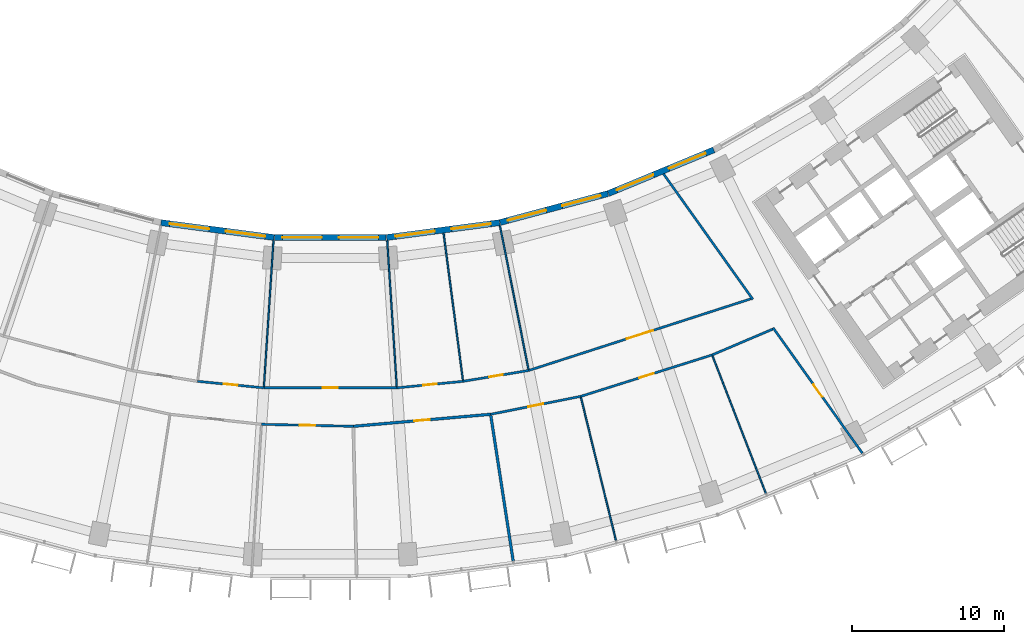
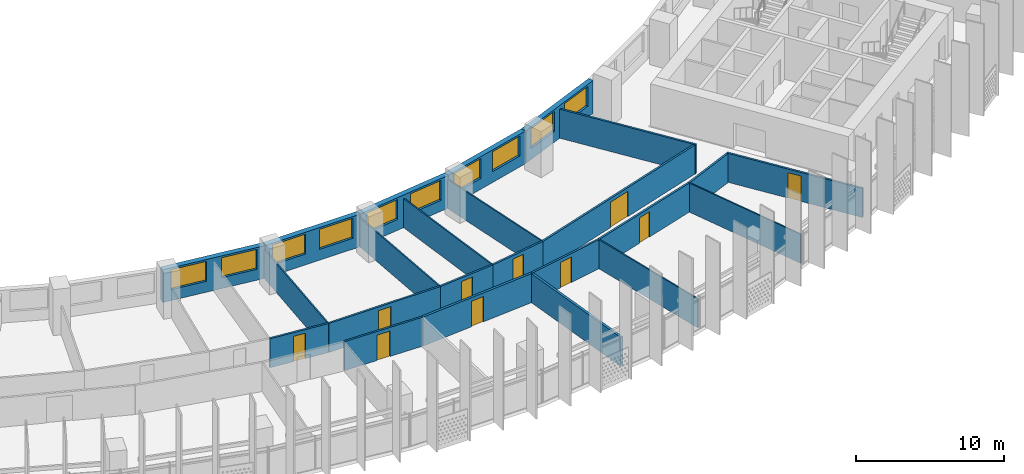
# One storey, part 6 of 30: 24 walls, 10 doors, 10 windows, 20 openings.
"""IFC4 building model written with IfcOpenShell, lengths in metres."""

from ifc_helpers import new_model, si_unit, direction, frame, frame_2d, origin, place, context, subcontext, project, spatial, rectangle, extrude, material, layer, layer_set, type_object, element, fill, save


model = new_model("IFC4")

# Units and contexts
model_context = context("Model", 3, precision=1e-05, world=origin(), true_north=direction((0.0, 1.0)))
body_context = subcontext(model_context, "Body", "Model", "MODEL_VIEW")
ifc_project = project(units=[si_unit("LENGTHUNIT", "METRE"), si_unit("AREAUNIT", "SQUARE_METRE"), si_unit("VOLUMEUNIT", "CUBIC_METRE"), si_unit("PLANEANGLEUNIT", "RADIAN"), si_unit("MASSUNIT", "GRAM", prefix="KILO")], contexts=[model_context])

# Site, building, storey
site_placement = place(None, origin())
site = spatial("IfcSite", under=ifc_project, at=site_placement, CompositionType="ELEMENT")
building_placement = place(site_placement, origin())
building = spatial("IfcBuilding", under=site, at=building_placement, Name="Qamariyya Broadcast Tower", CompositionType="ELEMENT")
storey_placement = place(building_placement, frame((0.0, 0.0, 110.10009765625)))
storey = spatial("IfcBuildingStorey", under=building, at=storey_placement, Name="L24", CompositionType="ELEMENT", Elevation=110.10009765625)

# Wall, opening, door
ifc_material_1 = material(Name="Gypsum board partition")
ifc_layer_1 = layer(ifc_material_1, 0.14990234375)
ifc_layer_set_1 = layer_set([ifc_layer_1], Name="Corridor partition 150 EI 60")
wall_type_1 = type_object("IfcWallType", Name="Corridor partition 150 EI 60", PredefinedType="PARTITIONING", material=ifc_layer_set_1)
wall_1_placement = place(storey_placement, frame((-8.71923828125, -66.228515625, 0.0), z_axis=(0.0, 0.0, 1.0), x_axis=(0.995184826457, -0.098016127192, 0.0)))
wall_1 = element("IfcWall", 1, at=wall_1_placement, inside=storey, type_object=wall_type_1, Name="Partition L24-019", PredefinedType="PARTITIONING", context=body_context, shape_type="SweptSolid", body=[
    extrude(rectangle(XDim=4.371337890625, YDim=0.14990234375, at=frame_2d((2.185546875, 0.0))), origin(), (0.0, 0.0, 1.0), 2.39990234375),
])
opening_1_placement = place(wall_1_placement, frame((1.735595703125, 0.0, 0.0)))
opening_1 = element("IfcOpeningElement", 2, at=opening_1_placement, cuts=wall_1, Name="Opening L24-D11", PredefinedType="OPENING", context=body_context, shape_type="SweptSolid", body=[
    extrude(rectangle(XDim=0.89990234375, YDim=2.10009765625, at=frame_2d((0.449951171875, 1.050048828125))), frame((0.0, 0.0849609375, 0.0), z_axis=(0.0, -1.0, 0.0), x_axis=(1.0, 0.0, 0.0)), (0.0, 0.0, 1.0), 0.169921875),
])
ifc_material_2 = material(Name="Timber fire door leaf", Category="wood")
door_type_1 = type_object("IfcDoorType", Name="Fire door 900 x 2100 FD60", OperationType="NOTDEFINED", PredefinedType="DOOR", material=ifc_material_2)
door_1_placement = place(opening_1_placement, origin())
door_1 = element("IfcDoor", 3, at=door_1_placement, inside=storey, type_object=door_type_1, Name="Door L24-D11", OperationType="SINGLE_SWING_RIGHT", OverallHeight=2.10009765625, OverallWidth=0.89990234375, PredefinedType="DOOR", context=body_context, shape_type="SweptSolid", body=[
    extrude(rectangle(XDim=0.89990234375, YDim=2.10009765625, at=frame_2d((0.449951171875, 1.050048828125))), frame((0.0, 0.02490234375, 0.0), z_axis=(0.0, -1.0, 0.0), x_axis=(1.0, 0.0, 0.0)), (0.0, 0.0, 1.0), 0.050048828125),
])
fill(opening_1, door_1)

wall_2_placement = place(storey_placement, frame((1.511474609375, -69.18359375, 0.0), z_axis=(0.0, 0.0, 1.0), x_axis=(-0.999761664283, 0.021831505468, 0.0)))
wall_2 = element("IfcWall", 4, at=wall_2_placement, inside=storey, type_object=wall_type_1, Name="Partition L24-022", PredefinedType="PARTITIONING", context=body_context, shape_type="SweptSolid", body=[
    extrude(rectangle(XDim=6.038818359375, YDim=0.14990234375, at=frame_2d((3.01953125, 0.0))), origin(), (0.0, 0.0, 1.0), 2.39990234375),
])
opening_2_placement = place(wall_2_placement, frame((2.51953125, 0.0, 0.0)))
opening_2 = element("IfcOpeningElement", 5, at=opening_2_placement, cuts=wall_2, Name="Opening L24-D03", PredefinedType="OPENING", context=body_context, shape_type="SweptSolid", body=[
    extrude(rectangle(XDim=1.0, YDim=2.10009765625, at=frame_2d((0.5, 1.050048828125))), frame((0.0, 0.0849609375, 0.0), z_axis=(0.0, -1.0, 0.0), x_axis=(1.0, 0.0, 0.0)), (0.0, 0.0, 1.0), 0.169921875),
])
door_type_2 = type_object("IfcDoorType", Name="Fire door 1000 x 2100 FD60", OperationType="NOTDEFINED", PredefinedType="DOOR", material=ifc_material_2)
door_2_placement = place(opening_2_placement, origin())
door_2 = element("IfcDoor", 6, at=door_2_placement, inside=storey, type_object=door_type_2, Name="Door L24-D03", OperationType="SINGLE_SWING_RIGHT", OverallHeight=2.10009765625, OverallWidth=1.0, PredefinedType="DOOR", context=body_context, shape_type="SweptSolid", body=[
    extrude(rectangle(XDim=1.0, YDim=2.10009765625, at=frame_2d((0.5, 1.050048828125))), frame((0.0, 0.02490234375, 0.0), z_axis=(0.0, -1.0, 0.0), x_axis=(1.0, 0.0, 0.0)), (0.0, 0.0, 1.0), 0.050048828125),
])
fill(opening_2, door_2)

wall_3_placement = place(storey_placement, frame((-4.368896484375, -66.656982421875, 0.0), z_axis=(0.0, 0.0, 1.0), x_axis=(1.0, 0.0, 0.0)))
wall_3 = element("IfcWall", 7, at=wall_3_placement, inside=storey, type_object=wall_type_1, Name="Partition L24-023", PredefinedType="PARTITIONING", context=body_context, shape_type="SweptSolid", body=[
    extrude(rectangle(XDim=8.73779296875, YDim=0.14990234375, at=frame_2d((4.368896484375, 0.0))), origin(), (0.0, 0.0, 1.0), 2.39990234375),
])
opening_3_placement = place(wall_3_placement, frame((3.868896484375, 0.0, 0.0)))
opening_3 = element("IfcOpeningElement", 8, at=opening_3_placement, cuts=wall_3, Name="Opening L24-D12", PredefinedType="OPENING", context=body_context, shape_type="SweptSolid", body=[
    extrude(rectangle(XDim=1.0, YDim=2.10009765625, at=frame_2d((0.5, 1.050048828125))), frame((0.0, 0.0849609375, 0.0), z_axis=(0.0, -1.0, 0.0), x_axis=(1.0, 0.0, 0.0)), (0.0, 0.0, 1.0), 0.169921875),
])
door_3_placement = place(opening_3_placement, origin())
door_3 = element("IfcDoor", 9, at=door_3_placement, inside=storey, type_object=door_type_2, Name="Door L24-D12", OperationType="SINGLE_SWING_RIGHT", OverallHeight=2.10009765625, OverallWidth=1.0, PredefinedType="DOOR", context=body_context, shape_type="SweptSolid", body=[
    extrude(rectangle(XDim=1.0, YDim=2.10009765625, at=frame_2d((0.5, 1.050048828125))), frame((0.0, 0.02490234375, 0.0), z_axis=(0.0, -1.0, 0.0), x_axis=(1.0, 0.0, 0.0)), (0.0, 0.0, 1.0), 0.050048828125),
])
fill(opening_3, door_3)

wall_4_placement = place(storey_placement, frame((4.368896484375, -66.656982421875, 0.0), z_axis=(0.0, 0.0, 1.0), x_axis=(0.995184826457, 0.098016127192, 0.0)))
wall_4 = element("IfcWall", 10, at=wall_4_placement, inside=storey, type_object=wall_type_1, Name="Partition L24-028", PredefinedType="PARTITIONING", context=body_context, shape_type="SweptSolid", body=[
    extrude(rectangle(XDim=4.371337890625, YDim=0.14990234375, at=frame_2d((2.185546875, 0.0))), origin(), (0.0, 0.0, 1.0), 2.39990234375),
])
opening_4_placement = place(wall_4_placement, frame((1.735595703125, 0.0, 0.0)))
opening_4 = element("IfcOpeningElement", 11, at=opening_4_placement, cuts=wall_4, Name="Opening L24-D13", PredefinedType="OPENING", context=body_context, shape_type="SweptSolid", body=[
    extrude(rectangle(XDim=0.89990234375, YDim=2.10009765625, at=frame_2d((0.449951171875, 1.050048828125))), frame((0.0, 0.0849609375, 0.0), z_axis=(0.0, -1.0, 0.0), x_axis=(1.0, 0.0, 0.0)), (0.0, 0.0, 1.0), 0.169921875),
])
door_4_placement = place(opening_4_placement, origin())
door_4 = element("IfcDoor", 12, at=door_4_placement, inside=storey, type_object=door_type_1, Name="Door L24-D13", OperationType="SINGLE_SWING_RIGHT", OverallHeight=2.10009765625, OverallWidth=0.89990234375, PredefinedType="DOOR", context=body_context, shape_type="SweptSolid", body=[
    extrude(rectangle(XDim=0.89990234375, YDim=2.10009765625, at=frame_2d((0.449951171875, 1.050048828125))), frame((0.0, 0.02490234375, 0.0), z_axis=(0.0, -1.0, 0.0), x_axis=(1.0, 0.0, 0.0)), (0.0, 0.0, 1.0), 0.050048828125),
])
fill(opening_4, door_4)

wall_5_placement = place(storey_placement, frame((8.71923828125, -66.228515625, 0.0), z_axis=(0.0, 0.0, 1.0), x_axis=(0.986638873051, 0.162922479065, 0.0)))
wall_5 = element("IfcWall", 13, at=wall_5_placement, inside=storey, type_object=wall_type_1, Name="Partition L24-030", PredefinedType="PARTITIONING", context=body_context, shape_type="SweptSolid", body=[
    extrude(rectangle(XDim=4.37109375, YDim=0.14990234375, at=frame_2d((2.185546875, 0.0))), origin(), (0.0, 0.0, 1.0), 2.39990234375),
])
opening_5_placement = place(wall_5_placement, frame((1.735595703125, 0.0, 0.0)))
opening_5 = element("IfcOpeningElement", 14, at=opening_5_placement, cuts=wall_5, Name="Opening L24-D14", PredefinedType="OPENING", context=body_context, shape_type="SweptSolid", body=[
    extrude(rectangle(XDim=0.89990234375, YDim=2.10009765625, at=frame_2d((0.449951171875, 1.050048828125))), frame((0.0, 0.0849609375, 0.0), z_axis=(0.0, -1.0, 0.0), x_axis=(1.0, 0.0, 0.0)), (0.0, 0.0, 1.0), 0.169921875),
])
door_5_placement = place(opening_5_placement, origin())
door_5 = element("IfcDoor", 15, at=door_5_placement, inside=storey, type_object=door_type_1, Name="Door L24-D14", OperationType="SINGLE_SWING_RIGHT", OverallHeight=2.10009765625, OverallWidth=0.89990234375, PredefinedType="DOOR", context=body_context, shape_type="SweptSolid", body=[
    extrude(rectangle(XDim=0.89990234375, YDim=2.10009765625, at=frame_2d((0.449951171875, 1.050048828125))), frame((0.0, 0.02490234375, 0.0), z_axis=(0.0, -1.0, 0.0), x_axis=(1.0, 0.0, 0.0)), (0.0, 0.0, 1.0), 0.050048828125),
])
fill(opening_5, door_5)

wall_6_placement = place(storey_placement, frame((16.446044921875, -67.21728515625, 0.0), z_axis=(0.0, 0.0, 1.0), x_axis=(-0.980785582749, -0.195088802015, 0.0)))
wall_6 = element("IfcWall", 16, at=wall_6_placement, inside=storey, type_object=wall_type_1, Name="Partition L24-031", PredefinedType="PARTITIONING", context=body_context, shape_type="SweptSolid", body=[
    extrude(rectangle(XDim=6.033203125, YDim=0.14990234375, at=frame_2d((3.0166015625, 0.0))), origin(), (0.0, 0.0, 1.0), 2.39990234375),
])
opening_6_placement = place(wall_6_placement, frame((2.5166015625, 0.0, 0.0)))
opening_6 = element("IfcOpeningElement", 17, at=opening_6_placement, cuts=wall_6, Name="Opening L24-D05", PredefinedType="OPENING", context=body_context, shape_type="SweptSolid", body=[
    extrude(rectangle(XDim=1.0, YDim=2.10009765625, at=frame_2d((0.5, 1.050048828125))), frame((0.0, 0.0849609375, 0.0), z_axis=(0.0, -1.0, 0.0), x_axis=(1.0, 0.0, 0.0)), (0.0, 0.0, 1.0), 0.169921875),
])
door_6_placement = place(opening_6_placement, origin())
door_6 = element("IfcDoor", 18, at=door_6_placement, inside=storey, type_object=door_type_2, Name="Door L24-D05", OperationType="SINGLE_SWING_RIGHT", OverallHeight=2.10009765625, OverallWidth=1.0, PredefinedType="DOOR", context=body_context, shape_type="SweptSolid", body=[
    extrude(rectangle(XDim=1.0, YDim=2.10009765625, at=frame_2d((0.5, 1.050048828125))), frame((0.0, 0.02490234375, 0.0), z_axis=(0.0, -1.0, 0.0), x_axis=(1.0, 0.0, 0.0)), (0.0, 0.0, 1.0), 0.050048828125),
])
fill(opening_6, door_6)

wall_7_placement = place(storey_placement, frame((13.031982421875, -65.516357421875, 0.0), z_axis=(0.0, 0.0, 1.0), x_axis=(0.951705469381, 0.307012539729, 0.0)))
wall_7 = element("IfcWall", 19, at=wall_7_placement, inside=storey, type_object=wall_type_1, Name="Partition L24-034", PredefinedType="PARTITIONING", context=body_context, shape_type="SweptSolid", body=[
    extrude(rectangle(XDim=15.348388671875, YDim=0.14990234375, at=frame_2d((7.67431640625, 0.0))), origin(), (0.0, 0.0, 1.0), 2.39990234375),
])
opening_7_placement = place(wall_7_placement, frame((6.774169921875, 0.0, 0.0)))
opening_7 = element("IfcOpeningElement", 20, at=opening_7_placement, cuts=wall_7, Name="Opening L24-D15", PredefinedType="OPENING", context=body_context, shape_type="SweptSolid", body=[
    extrude(rectangle(XDim=1.800048828125, YDim=2.10009765625, at=frame_2d((0.89990234375, 1.050048828125))), frame((0.0, 0.0849609375, 0.0), z_axis=(0.0, -1.0, 0.0), x_axis=(1.0, 0.0, 0.0)), (0.0, 0.0, 1.0), 0.169921875),
])
door_type_3 = type_object("IfcDoorType", Name="Double fire door 1800 x 2100 FD60", OperationType="NOTDEFINED", PredefinedType="DOOR", material=ifc_material_2)
door_7_placement = place(opening_7_placement, origin())
door_7 = element("IfcDoor", 21, at=door_7_placement, inside=storey, type_object=door_type_3, Name="Door L24-D15", OperationType="DOUBLE_DOOR_SINGLE_SWING", OverallHeight=2.10009765625, OverallWidth=1.800048828125, PredefinedType="DOOR", context=body_context, shape_type="SweptSolid", body=[
    extrude(rectangle(XDim=1.800048828125, YDim=2.10009765625, at=frame_2d((0.89990234375, 1.050048828125))), frame((0.0, 0.02490234375, 0.0), z_axis=(0.0, -1.0, 0.0), x_axis=(1.0, 0.0, 0.0)), (0.0, 0.0, 1.0), 0.050048828125),
])
fill(opening_7, door_7)

wall_8_placement = place(storey_placement, frame((25.078857421875, -64.49560546875, 0.0), z_axis=(0.0, 0.0, 1.0), x_axis=(-0.953724416281, -0.300682120834, 0.0)))
wall_8 = element("IfcWall", 22, at=wall_8_placement, inside=storey, type_object=wall_type_1, Name="Partition L24-035", PredefinedType="PARTITIONING", context=body_context, shape_type="SweptSolid", body=[
    extrude(rectangle(XDim=9.0517578125, YDim=0.14990234375, at=frame_2d((4.52587890625, 0.0))), origin(), (0.0, 0.0, 1.0), 2.39990234375),
])
opening_8_placement = place(wall_8_placement, frame((4.02587890625, 0.0, 0.0)))
opening_8 = element("IfcOpeningElement", 23, at=opening_8_placement, cuts=wall_8, Name="Opening L24-D06", PredefinedType="OPENING", context=body_context, shape_type="SweptSolid", body=[
    extrude(rectangle(XDim=1.0, YDim=2.10009765625, at=frame_2d((0.5, 1.050048828125))), frame((0.0, 0.0849609375, 0.0), z_axis=(0.0, -1.0, 0.0), x_axis=(1.0, 0.0, 0.0)), (0.0, 0.0, 1.0), 0.169921875),
])
door_8_placement = place(opening_8_placement, origin())
door_8 = element("IfcDoor", 24, at=door_8_placement, inside=storey, type_object=door_type_2, Name="Door L24-D06", OperationType="SINGLE_SWING_RIGHT", OverallHeight=2.10009765625, OverallWidth=1.0, PredefinedType="DOOR", context=body_context, shape_type="SweptSolid", body=[
    extrude(rectangle(XDim=1.0, YDim=2.10009765625, at=frame_2d((0.5, 1.050048828125))), frame((0.0, 0.02490234375, 0.0), z_axis=(0.0, -1.0, 0.0), x_axis=(1.0, 0.0, 0.0)), (0.0, 0.0, 1.0), 0.050048828125),
])
fill(opening_8, door_8)

# Walls
wall_9_placement = place(storey_placement, frame((21.8837890625, -52.59765625, 0.0), z_axis=(0.0, 0.0, 1.0), x_axis=(0.580016763963, -0.814604538118, 0.0)))
element("IfcWall", 25, at=wall_9_placement, inside=storey, type_object=wall_type_1, Name="Partition L24-037", PredefinedType="PARTITIONING", context=body_context, shape_type="SweptSolid", body=[
    extrude(rectangle(XDim=10.12109375, YDim=0.14990234375, at=frame_2d((5.060546875, 0.0))), origin(), (0.0, 0.0, 1.0), 2.39990234375),
])
wall_10_placement = place(storey_placement, frame((25.078857421875, -64.49560546875, 0.0), z_axis=(0.0, 0.0, 1.0), x_axis=(0.9200243558, 0.391861180438, 0.0)))
element("IfcWall", 26, at=wall_10_placement, inside=storey, type_object=wall_type_1, Name="Partition L24-038", PredefinedType="PARTITIONING", context=body_context, shape_type="SweptSolid", body=[
    extrude(rectangle(XDim=4.32568359375, YDim=0.14990234375, at=frame_2d((2.162841796875, 0.0))), origin(), (0.0, 0.0, 1.0), 2.39990234375),
])

# Wall, opening, door
wall_11_placement = place(storey_placement, frame((34.95751953125, -70.958984375, 0.0), z_axis=(0.0, 0.0, 1.0), x_axis=(-0.580031092611, 0.814594335608, 0.0)))
wall_11 = element("IfcWall", 27, at=wall_11_placement, inside=storey, type_object=wall_type_1, Name="Partition L24-040", PredefinedType="PARTITIONING", context=body_context, shape_type="SweptSolid", body=[
    extrude(rectangle(XDim=10.126220703125, YDim=0.14990234375, at=frame_2d((5.06298828125, 0.0))), origin(), (0.0, 0.0, 1.0), 2.39990234375),
])
opening_9_placement = place(wall_11_placement, frame((4.563232421875, 0.0, 0.0)))
opening_9 = element("IfcOpeningElement", 28, at=opening_9_placement, cuts=wall_11, Name="Opening L24-D07", PredefinedType="OPENING", context=body_context, shape_type="SweptSolid", body=[
    extrude(rectangle(XDim=1.0, YDim=2.10009765625, at=frame_2d((0.5, 1.050048828125))), frame((0.0, 0.0849609375, 0.0), z_axis=(0.0, -1.0, 0.0), x_axis=(1.0, 0.0, 0.0)), (0.0, 0.0, 1.0), 0.169921875),
])
door_9_placement = place(opening_9_placement, origin())
door_9 = element("IfcDoor", 29, at=door_9_placement, inside=storey, type_object=door_type_2, Name="Door L24-D07", OperationType="SINGLE_SWING_RIGHT", OverallHeight=2.10009765625, OverallWidth=1.0, PredefinedType="DOOR", context=body_context, shape_type="SweptSolid", body=[
    extrude(rectangle(XDim=1.0, YDim=2.10009765625, at=frame_2d((0.5, 1.050048828125))), frame((0.0, 0.02490234375, 0.0), z_axis=(0.0, -1.0, 0.0), x_axis=(1.0, 0.0, 0.0)), (0.0, 0.0, 1.0), 0.050048828125),
])
fill(opening_9, door_9)

# Walls
ifc_layer_2 = layer(ifc_material_1, 0.10009765625)
ifc_layer_set_2 = layer_set([ifc_layer_2], Name="Partition 100")
wall_type_2 = type_object("IfcWallType", Name="Partition 100", PredefinedType="PARTITIONING", material=ifc_layer_set_2)
for number, where, z_axis, x_axis, name in (
    (30, (-3.734619140625, -56.977783203125, 0.0), (0.0, 0.0, 1.0), (-0.065392665599, -0.997859609006, 0.0), "Partition L24-024"),
    (31, (3.734619140625, -56.977783203125, 0.0), (0.0, 0.0, 1.0), (0.065392665599, -0.997859609006, 0.0), "Partition L24-027"),
):
    element("IfcWall", number, at=place(storey_placement, frame(where, z_axis=z_axis, x_axis=x_axis)), inside=storey, type_object=wall_type_2, Name=name, PredefinedType="PARTITIONING", context=body_context, shape_type="SweptSolid", body=[
        extrude(rectangle(XDim=9.624755859375, YDim=0.10009765625, at=frame_2d((4.8125, 0.0))), origin(), (0.0, 0.0, 1.0), 2.39990234375),
    ])
wall_12_placement = place(storey_placement, frame((7.437255859375, -56.4912109375, 0.0), z_axis=(0.0, 0.0, 1.0), x_axis=(0.13053421433, -0.99144380521, 0.0)))
element("IfcWall", 32, at=wall_12_placement, inside=storey, type_object=wall_type_2, Name="Partition L24-029", PredefinedType="PARTITIONING", context=body_context, shape_type="SweptSolid", body=[
    extrude(rectangle(XDim=9.746337890625, YDim=0.10009765625, at=frame_2d((4.873046875, 0.0))), origin(), (0.0, 0.0, 1.0), 2.39990234375),
])
wall_13_placement = place(storey_placement, frame((11.1396484375, -56.0029296875, 0.0), z_axis=(0.0, 0.0, 1.0), x_axis=(0.195086769421, -0.980785987052, 0.0)))
element("IfcWall", 33, at=wall_13_placement, inside=storey, type_object=wall_type_2, Name="Partition L24-032", PredefinedType="PARTITIONING", context=body_context, shape_type="SweptSolid", body=[
    extrude(rectangle(XDim=9.624755859375, YDim=0.10009765625, at=frame_2d((4.8125, 0.0))), origin(), (0.0, 0.0, 1.0), 2.39990234375),
])
wall_14_placement = place(storey_placement, frame((18.762939453125, -76.68701171875, 0.0), z_axis=(0.0, 0.0, 1.0), x_axis=(-0.237657357205, 0.971349051869, 0.0)))
element("IfcWall", 34, at=wall_14_placement, inside=storey, type_object=wall_type_2, Name="Partition L24-036", PredefinedType="PARTITIONING", context=body_context, shape_type="SweptSolid", body=[
    extrude(rectangle(XDim=9.673828125, YDim=0.10009765625, at=frame_2d((4.8369140625, 0.0))), origin(), (0.0, 0.0, 1.0), 2.39990234375),
])
wall_15_placement = place(storey_placement, frame((28.612060546875, -73.58203125, 0.0), z_axis=(0.0, 0.0, 1.0), x_axis=(-0.362392675792, 0.93202550852, 0.0)))
element("IfcWall", 35, at=wall_15_placement, inside=storey, type_object=wall_type_2, Name="Partition L24-039", PredefinedType="PARTITIONING", context=body_context, shape_type="SweptSolid", body=[
    extrude(rectangle(XDim=9.67431640625, YDim=0.10009765625, at=frame_2d((4.837158203125, 0.0))), origin(), (0.0, 0.0, 1.0), 2.39990234375),
])

# Wall, opening, door
ifc_layer_3 = layer(ifc_material_1, 0.179931640625)
ifc_layer_set_3 = layer_set([ifc_layer_3], Name="Studio acoustic partition 180 EI 60")
wall_type_3 = type_object("IfcWallType", Name="Studio acoustic partition 180 EI 60", PredefinedType="PARTITIONING", material=ifc_layer_set_3)
wall_16_placement = place(storey_placement, frame((10.52880859375, -68.394287109375, 0.0), z_axis=(0.0, 0.0, 1.0), x_axis=(-0.996190935779, -0.087198735491, 0.0)))
wall_16 = element("IfcWall", 36, at=wall_16_placement, inside=storey, type_object=wall_type_3, Name="Partition L24-025", PredefinedType="PARTITIONING", context=body_context, shape_type="SweptSolid", body=[
    extrude(rectangle(XDim=9.0517578125, YDim=0.179931640625, at=frame_2d((4.52587890625, 0.0))), origin(), (0.0, 0.0, 1.0), 2.39990234375),
])
opening_10_placement = place(wall_16_placement, frame((4.02587890625, 0.0, 0.0)))
opening_10 = element("IfcOpeningElement", 37, at=opening_10_placement, cuts=wall_16, Name="Opening L24-D04", PredefinedType="OPENING", context=body_context, shape_type="SweptSolid", body=[
    extrude(rectangle(XDim=1.0, YDim=2.10009765625, at=frame_2d((0.5, 1.050048828125))), frame((0.0, 0.099853515625, 0.0), z_axis=(0.0, -1.0, 0.0), x_axis=(1.0, 0.0, 0.0)), (0.0, 0.0, 1.0), 0.199951171875),
])
door_10_placement = place(opening_10_placement, origin())
door_10 = element("IfcDoor", 38, at=door_10_placement, inside=storey, type_object=door_type_2, Name="Door L24-D04", OperationType="SINGLE_SWING_RIGHT", OverallHeight=2.10009765625, OverallWidth=1.0, PredefinedType="DOOR", context=body_context, shape_type="SweptSolid", body=[
    extrude(rectangle(XDim=1.0, YDim=2.10009765625, at=frame_2d((0.5, 1.050048828125))), frame((0.0, 0.02490234375, 0.0), z_axis=(0.0, -1.0, 0.0), x_axis=(1.0, 0.0, 0.0)), (0.0, 0.0, 1.0), 0.050048828125),
])
fill(opening_10, door_10)

# Wall
wall_17_placement = place(storey_placement, frame((12.01220703125, -78.030029296875, 0.0), z_axis=(0.0, 0.0, 1.0), x_axis=(-0.152159747281, 0.988355913276, 0.0)))
element("IfcWall", 39, at=wall_17_placement, inside=storey, type_object=wall_type_3, Name="Partition L24-033", PredefinedType="PARTITIONING", context=body_context, shape_type="SweptSolid", body=[
    extrude(rectangle(XDim=9.6591796875, YDim=0.179931640625, at=frame_2d((4.82958984375, 0.0))), origin(), (0.0, 0.0, 1.0), 2.39990234375),
])

# Wall, openings, windows
ifc_material_3 = material(Name="Terracotta", Category="masonry")
ifc_layer_4 = layer(ifc_material_3, 0.39990234375)
ifc_layer_set_4 = layer_set([ifc_layer_4], Name="Terracotta clad wall 400")
wall_type_4 = type_object("IfcWallType", Name="Terracotta clad wall 400", PredefinedType="SOLIDWALL", material=ifc_layer_set_4)
wall_18_placement = place(storey_placement, frame((11.12548828125, -55.803955078125, 0.0), z_axis=(0.0, 0.0, 1.0), x_axis=(-0.991444533306, -0.130528684121, 0.0)))
wall_18 = element("IfcWall", 40, at=wall_18_placement, inside=storey, type_object=wall_type_4, Name="e-wl-L24-in100", PredefinedType="SOLIDWALL", context=body_context, shape_type="SweptSolid", body=[
    extrude(rectangle(XDim=7.492919921875, YDim=0.39990234375, at=frame_2d((3.74658203125, 0.0))), origin(), (0.0, 0.0, 1.0), 2.699951171875),
])
opening_11_placement = place(wall_18_placement, frame((4.300537109375, 0.0, 0.89990234375)))
opening_11 = element("IfcOpeningElement", 41, at=opening_11_placement, cuts=wall_18, Name="Opening W1", PredefinedType="OPENING", context=body_context, shape_type="SweptSolid", body=[
    extrude(rectangle(XDim=2.60009765625, YDim=1.64990234375, at=frame_2d((1.300048828125, 0.824951171875))), frame((0.0, 0.2099609375, 0.0), z_axis=(0.0, -1.0, 0.0), x_axis=(1.0, 0.0, 0.0)), (0.0, 0.0, 1.0), 0.419921875),
])
opening_12_placement = place(wall_18_placement, frame((0.59228515625, 0.0, 0.89990234375)))
opening_12 = element("IfcOpeningElement", 42, at=opening_12_placement, cuts=wall_18, Name="Opening W1", PredefinedType="OPENING", context=body_context, shape_type="SweptSolid", body=[
    extrude(rectangle(XDim=2.60009765625, YDim=1.64990234375, at=frame_2d((1.300048828125, 0.824951171875))), frame((0.0, 0.2099609375, 0.0), z_axis=(0.0, -1.0, 0.0), x_axis=(1.0, 0.0, 0.0)), (0.0, 0.0, 1.0), 0.419921875),
])
ifc_material_4 = material(Name="Clear low-e double glazed unit in aluminium frame", Category="aluminium")
window_type = type_object("IfcWindowType", Name="Ribbon window 2600 x 1650", PartitioningType="SINGLE_PANEL", PredefinedType="WINDOW", material=ifc_material_4)
window_1_placement = place(opening_11_placement, origin())
window_1 = element("IfcWindow", 43, at=window_1_placement, inside=storey, type_object=window_type, Name="e-w-L24-in10-0", OverallHeight=1.64990234375, OverallWidth=2.60009765625, PartitioningType="SINGLE_PANEL", PredefinedType="WINDOW", context=body_context, shape_type="SweptSolid", body=[
    extrude(rectangle(XDim=2.60009765625, YDim=1.64990234375, at=frame_2d((1.300048828125, 0.824951171875))), frame((0.0, 0.030029296875, 0.0), z_axis=(0.0, -1.0, 0.0), x_axis=(1.0, 0.0, 0.0)), (0.0, 0.0, 1.0), 0.06005859375),
])
fill(opening_11, window_1)
window_2_placement = place(opening_12_placement, origin())
window_2 = element("IfcWindow", 44, at=window_2_placement, inside=storey, type_object=window_type, Name="e-w-L24-in10-1", OverallHeight=1.64990234375, OverallWidth=2.60009765625, PartitioningType="SINGLE_PANEL", PredefinedType="WINDOW", context=body_context, shape_type="SweptSolid", body=[
    extrude(rectangle(XDim=2.60009765625, YDim=1.64990234375, at=frame_2d((1.300048828125, 0.824951171875))), frame((0.0, 0.030029296875, 0.0), z_axis=(0.0, -1.0, 0.0), x_axis=(1.0, 0.0, 0.0)), (0.0, 0.0, 1.0), 0.06005859375),
])
fill(opening_12, window_2)

wall_19_placement = place(storey_placement, frame((18.240966796875, -53.893798828125, 0.0), z_axis=(0.0, 0.0, 1.0), x_axis=(-0.965924597867, -0.258823629594, 0.0)))
wall_19 = element("IfcWall", 45, at=wall_19_placement, inside=storey, type_object=wall_type_4, Name="e-wl-L24-in110", PredefinedType="SOLIDWALL", context=body_context, shape_type="SweptSolid", body=[
    extrude(rectangle(XDim=7.341552734375, YDim=0.39990234375, at=frame_2d((3.6708984375, 0.0))), origin(), (0.0, 0.0, 1.0), 2.699951171875),
])
opening_13_placement = place(wall_19_placement, frame((4.224853515625, 0.0, 0.89990234375)))
opening_13 = element("IfcOpeningElement", 46, at=opening_13_placement, cuts=wall_19, Name="Opening W1", PredefinedType="OPENING", context=body_context, shape_type="SweptSolid", body=[
    extrude(rectangle(XDim=2.60009765625, YDim=1.64990234375, at=frame_2d((1.300048828125, 0.824951171875))), frame((0.0, 0.2099609375, 0.0), z_axis=(0.0, -1.0, 0.0), x_axis=(1.0, 0.0, 0.0)), (0.0, 0.0, 1.0), 0.419921875),
])
opening_14_placement = place(wall_19_placement, frame((0.5166015625, 0.0, 0.89990234375)))
opening_14 = element("IfcOpeningElement", 47, at=opening_14_placement, cuts=wall_19, Name="Opening W1", PredefinedType="OPENING", context=body_context, shape_type="SweptSolid", body=[
    extrude(rectangle(XDim=2.60009765625, YDim=1.64990234375, at=frame_2d((1.300048828125, 0.824951171875))), frame((0.0, 0.2099609375, 0.0), z_axis=(0.0, -1.0, 0.0), x_axis=(1.0, 0.0, 0.0)), (0.0, 0.0, 1.0), 0.419921875),
])
window_3_placement = place(opening_13_placement, origin())
window_3 = element("IfcWindow", 48, at=window_3_placement, inside=storey, type_object=window_type, Name="e-w-L24-in11-0", OverallHeight=1.64990234375, OverallWidth=2.60009765625, PartitioningType="SINGLE_PANEL", PredefinedType="WINDOW", context=body_context, shape_type="SweptSolid", body=[
    extrude(rectangle(XDim=2.60009765625, YDim=1.64990234375, at=frame_2d((1.300048828125, 0.824951171875))), frame((0.0, 0.030029296875, 0.0), z_axis=(0.0, -1.0, 0.0), x_axis=(1.0, 0.0, 0.0)), (0.0, 0.0, 1.0), 0.06005859375),
])
fill(opening_13, window_3)
window_4_placement = place(opening_14_placement, origin())
window_4 = element("IfcWindow", 49, at=window_4_placement, inside=storey, type_object=window_type, Name="e-w-L24-in11-1", OverallHeight=1.64990234375, OverallWidth=2.60009765625, PartitioningType="SINGLE_PANEL", PredefinedType="WINDOW", context=body_context, shape_type="SweptSolid", body=[
    extrude(rectangle(XDim=2.60009765625, YDim=1.64990234375, at=frame_2d((1.300048828125, 0.824951171875))), frame((0.0, 0.030029296875, 0.0), z_axis=(0.0, -1.0, 0.0), x_axis=(1.0, 0.0, 0.0)), (0.0, 0.0, 1.0), 0.06005859375),
])
fill(opening_14, window_4)

wall_20_placement = place(storey_placement, frame((25.189453125, -51.02294921875, 0.0), z_axis=(0.0, 0.0, 1.0), x_axis=(-0.923879826967, -0.382682721486, 0.0)))
wall_20 = element("IfcWall", 50, at=wall_20_placement, inside=storey, type_object=wall_type_4, Name="e-wl-L24-in120", PredefinedType="SOLIDWALL", context=body_context, shape_type="SweptSolid", body=[
    extrude(rectangle(XDim=7.492919921875, YDim=0.39990234375, at=frame_2d((3.74658203125, 0.0))), origin(), (0.0, 0.0, 1.0), 2.699951171875),
])
opening_15_placement = place(wall_20_placement, frame((4.300537109375, 0.0, 0.89990234375)))
opening_15 = element("IfcOpeningElement", 51, at=opening_15_placement, cuts=wall_20, Name="Opening W1", PredefinedType="OPENING", context=body_context, shape_type="SweptSolid", body=[
    extrude(rectangle(XDim=2.60009765625, YDim=1.64990234375, at=frame_2d((1.300048828125, 0.824951171875))), frame((0.0, 0.2099609375, 0.0), z_axis=(0.0, -1.0, 0.0), x_axis=(1.0, 0.0, 0.0)), (0.0, 0.0, 1.0), 0.419921875),
])
opening_16_placement = place(wall_20_placement, frame((0.59228515625, 0.0, 0.89990234375)))
opening_16 = element("IfcOpeningElement", 52, at=opening_16_placement, cuts=wall_20, Name="Opening W1", PredefinedType="OPENING", context=body_context, shape_type="SweptSolid", body=[
    extrude(rectangle(XDim=2.60009765625, YDim=1.64990234375, at=frame_2d((1.300048828125, 0.824951171875))), frame((0.0, 0.2099609375, 0.0), z_axis=(0.0, -1.0, 0.0), x_axis=(1.0, 0.0, 0.0)), (0.0, 0.0, 1.0), 0.419921875),
])
window_5_placement = place(opening_15_placement, origin())
window_5 = element("IfcWindow", 53, at=window_5_placement, inside=storey, type_object=window_type, Name="e-w-L24-in12-0", OverallHeight=1.64990234375, OverallWidth=2.60009765625, PartitioningType="SINGLE_PANEL", PredefinedType="WINDOW", context=body_context, shape_type="SweptSolid", body=[
    extrude(rectangle(XDim=2.60009765625, YDim=1.64990234375, at=frame_2d((1.300048828125, 0.824951171875))), frame((0.0, 0.030029296875, 0.0), z_axis=(0.0, -1.0, 0.0), x_axis=(1.0, 0.0, 0.0)), (0.0, 0.0, 1.0), 0.06005859375),
])
fill(opening_15, window_5)
window_6_placement = place(opening_16_placement, origin())
window_6 = element("IfcWindow", 54, at=window_6_placement, inside=storey, type_object=window_type, Name="e-w-L24-in12-1", OverallHeight=1.64990234375, OverallWidth=2.60009765625, PartitioningType="SINGLE_PANEL", PredefinedType="WINDOW", context=body_context, shape_type="SweptSolid", body=[
    extrude(rectangle(XDim=2.60009765625, YDim=1.64990234375, at=frame_2d((1.300048828125, 0.824951171875))), frame((0.0, 0.030029296875, 0.0), z_axis=(0.0, -1.0, 0.0), x_axis=(1.0, 0.0, 0.0)), (0.0, 0.0, 1.0), 0.06005859375),
])
fill(opening_16, window_6)

wall_21_placement = place(storey_placement, frame((-3.69677734375, -56.781982421875, 0.0), z_axis=(0.0, 0.0, 1.0), x_axis=(-0.991444533306, 0.130528684121, 0.0)))
wall_21 = element("IfcWall", 55, at=wall_21_placement, inside=storey, type_object=wall_type_4, Name="e-wl-L24-in80", PredefinedType="SOLIDWALL", context=body_context, shape_type="SweptSolid", body=[
    extrude(rectangle(XDim=7.492919921875, YDim=0.39990234375, at=frame_2d((3.74658203125, 0.0))), origin(), (0.0, 0.0, 1.0), 2.699951171875),
])
opening_17_placement = place(wall_21_placement, frame((4.300537109375, 0.0, 0.89990234375)))
opening_17 = element("IfcOpeningElement", 56, at=opening_17_placement, cuts=wall_21, Name="Opening W1", PredefinedType="OPENING", context=body_context, shape_type="SweptSolid", body=[
    extrude(rectangle(XDim=2.60009765625, YDim=1.64990234375, at=frame_2d((1.300048828125, 0.824951171875))), frame((0.0, 0.2099609375, 0.0), z_axis=(0.0, -1.0, 0.0), x_axis=(1.0, 0.0, 0.0)), (0.0, 0.0, 1.0), 0.419921875),
])
opening_18_placement = place(wall_21_placement, frame((0.59228515625, 0.0, 0.89990234375)))
opening_18 = element("IfcOpeningElement", 57, at=opening_18_placement, cuts=wall_21, Name="Opening W1", PredefinedType="OPENING", context=body_context, shape_type="SweptSolid", body=[
    extrude(rectangle(XDim=2.60009765625, YDim=1.64990234375, at=frame_2d((1.300048828125, 0.824951171875))), frame((0.0, 0.2099609375, 0.0), z_axis=(0.0, -1.0, 0.0), x_axis=(1.0, 0.0, 0.0)), (0.0, 0.0, 1.0), 0.419921875),
])
window_7_placement = place(opening_17_placement, origin())
window_7 = element("IfcWindow", 58, at=window_7_placement, inside=storey, type_object=window_type, Name="e-w-L24-in08-0", OverallHeight=1.64990234375, OverallWidth=2.60009765625, PartitioningType="SINGLE_PANEL", PredefinedType="WINDOW", context=body_context, shape_type="SweptSolid", body=[
    extrude(rectangle(XDim=2.60009765625, YDim=1.64990234375, at=frame_2d((1.300048828125, 0.824951171875))), frame((0.0, 0.030029296875, 0.0), z_axis=(0.0, -1.0, 0.0), x_axis=(1.0, 0.0, 0.0)), (0.0, 0.0, 1.0), 0.06005859375),
])
fill(opening_17, window_7)
window_8_placement = place(opening_18_placement, origin())
window_8 = element("IfcWindow", 59, at=window_8_placement, inside=storey, type_object=window_type, Name="e-w-L24-in08-1", OverallHeight=1.64990234375, OverallWidth=2.60009765625, PartitioningType="SINGLE_PANEL", PredefinedType="WINDOW", context=body_context, shape_type="SweptSolid", body=[
    extrude(rectangle(XDim=2.60009765625, YDim=1.64990234375, at=frame_2d((1.300048828125, 0.824951171875))), frame((0.0, 0.030029296875, 0.0), z_axis=(0.0, -1.0, 0.0), x_axis=(1.0, 0.0, 0.0)), (0.0, 0.0, 1.0), 0.06005859375),
])
fill(opening_18, window_8)

wall_22_placement = place(storey_placement, frame((3.670654296875, -56.778564453125, 0.0), z_axis=(0.0, 0.0, 1.0), x_axis=(-1.0, 0.0, 0.0)))
wall_22 = element("IfcWall", 60, at=wall_22_placement, inside=storey, type_object=wall_type_4, Name="e-wl-L24-in90", PredefinedType="SOLIDWALL", context=body_context, shape_type="SweptSolid", body=[
    extrude(rectangle(XDim=7.34130859375, YDim=0.39990234375, at=frame_2d((3.670654296875, 0.0))), origin(), (0.0, 0.0, 1.0), 2.699951171875),
])
opening_19_placement = place(wall_22_placement, frame((4.224853515625, 0.0, 0.89990234375)))
opening_19 = element("IfcOpeningElement", 61, at=opening_19_placement, cuts=wall_22, Name="Opening W1", PredefinedType="OPENING", context=body_context, shape_type="SweptSolid", body=[
    extrude(rectangle(XDim=2.60009765625, YDim=1.64990234375, at=frame_2d((1.300048828125, 0.824951171875))), frame((0.0, 0.2099609375, 0.0), z_axis=(0.0, -1.0, 0.0), x_axis=(1.0, 0.0, 0.0)), (0.0, 0.0, 1.0), 0.419921875),
])
opening_20_placement = place(wall_22_placement, frame((0.5166015625, 0.0, 0.89990234375)))
opening_20 = element("IfcOpeningElement", 62, at=opening_20_placement, cuts=wall_22, Name="Opening W1", PredefinedType="OPENING", context=body_context, shape_type="SweptSolid", body=[
    extrude(rectangle(XDim=2.60009765625, YDim=1.64990234375, at=frame_2d((1.300048828125, 0.824951171875))), frame((0.0, 0.2099609375, 0.0), z_axis=(0.0, -1.0, 0.0), x_axis=(1.0, 0.0, 0.0)), (0.0, 0.0, 1.0), 0.419921875),
])
window_9_placement = place(opening_19_placement, origin())
window_9 = element("IfcWindow", 63, at=window_9_placement, inside=storey, type_object=window_type, Name="e-w-L24-in09-0", OverallHeight=1.64990234375, OverallWidth=2.60009765625, PartitioningType="SINGLE_PANEL", PredefinedType="WINDOW", context=body_context, shape_type="SweptSolid", body=[
    extrude(rectangle(XDim=2.60009765625, YDim=1.64990234375, at=frame_2d((1.300048828125, 0.824951171875))), frame((0.0, 0.030029296875, 0.0), z_axis=(0.0, -1.0, 0.0), x_axis=(1.0, 0.0, 0.0)), (0.0, 0.0, 1.0), 0.06005859375),
])
fill(opening_19, window_9)
window_10_placement = place(opening_20_placement, origin())
window_10 = element("IfcWindow", 64, at=window_10_placement, inside=storey, type_object=window_type, Name="e-w-L24-in09-1", OverallHeight=1.64990234375, OverallWidth=2.60009765625, PartitioningType="SINGLE_PANEL", PredefinedType="WINDOW", context=body_context, shape_type="SweptSolid", body=[
    extrude(rectangle(XDim=2.60009765625, YDim=1.64990234375, at=frame_2d((1.300048828125, 0.824951171875))), frame((0.0, 0.030029296875, 0.0), z_axis=(0.0, -1.0, 0.0), x_axis=(1.0, 0.0, 0.0)), (0.0, 0.0, 1.0), 0.06005859375),
])
fill(opening_20, window_10)

save(model, "model.ifc")
